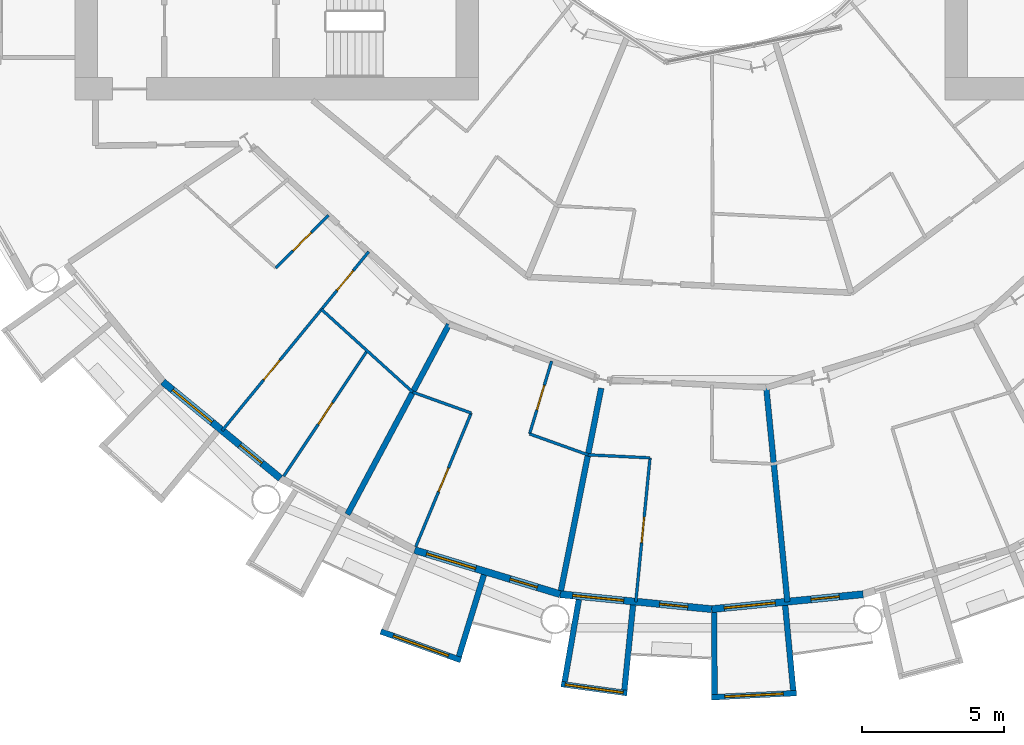
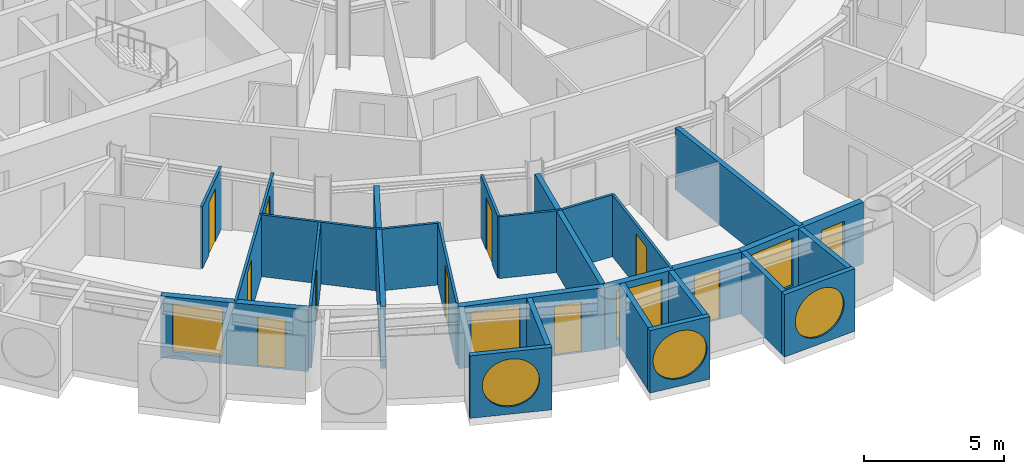
# One storey, part 13 of 26: 25 walls, 11 doors, 7 windows, 18 openings.
"""IFC4 building model written with IfcOpenShell, lengths in metres."""

from ifc_helpers import new_model, si_unit, direction, frame, frame_2d, origin, place, context, subcontext, project, spatial, rectangle, circle, extrude, material, layer, layer_set, type_object, element, fill, save


model = new_model("IFC4")

# Units and contexts
model_context = context("Model", 3, precision=1e-05, world=origin(), true_north=direction((0.0, 1.0)))
body_context = subcontext(model_context, "Body", "Model", "MODEL_VIEW")
ifc_project = project(units=[si_unit("LENGTHUNIT", "METRE"), si_unit("AREAUNIT", "SQUARE_METRE"), si_unit("VOLUMEUNIT", "CUBIC_METRE"), si_unit("PLANEANGLEUNIT", "RADIAN"), si_unit("MASSUNIT", "GRAM", prefix="KILO")], contexts=[model_context])

# Site, building, storey
site_placement = place(None, origin())
site = spatial("IfcSite", under=ifc_project, at=site_placement, CompositionType="ELEMENT")
building_placement = place(site_placement, origin())
building = spatial("IfcBuilding", under=site, at=building_placement, Name="Maasbend Ring Residences", CompositionType="ELEMENT")
storey_placement = place(building_placement, frame((0.0, 0.0, 44.14990234375)))
storey = spatial("IfcBuildingStorey", under=building, at=storey_placement, Name="L12", CompositionType="ELEMENT", Elevation=44.14990234375)

# Wall, opening, window
ifc_material_1 = material(Name="Pale anodised aluminium panel", Category="aluminium")
ifc_layer_1 = layer(ifc_material_1, 0.199951171875)
ifc_layer_set_1 = layer_set([ifc_layer_1], Name="EW-BOX")
wall_type_1 = type_object("IfcWallType", Name="EW-BOX", PredefinedType="SOLIDWALL", material=ifc_layer_set_1)
wall_1_placement = place(storey_placement, frame((-11.637939453125, -28.083984375, -0.02978515625), z_axis=(0.0, 0.0, 1.0), x_axis=(0.941461077774, -0.337121697664, 0.0)))
wall_1 = element("IfcWall", 1, at=wall_1_placement, inside=storey, type_object=wall_type_1, Name="Box front S07", PredefinedType="SOLIDWALL", context=body_context, shape_type="SweptSolid", body=[
    extrude(rectangle(XDim=2.9931640625, YDim=0.199951171875, at=frame_2d((1.49658203125, 0.0))), origin(), (0.0, 0.0, 1.0), 2.72998046875),
])
opening_1_placement = place(wall_1_placement, frame((0.45654296875, 0.0, 0.330078125)))
opening_1 = element("IfcOpeningElement", 2, at=opening_1_placement, cuts=wall_1, Name="Opening W-RD", PredefinedType="OPENING", context=body_context, shape_type="SweptSolid", body=[
    extrude(circle(Radius=1.0400390625, at=frame_2d((1.0400390625, 1.0400390625))), frame((0.0, 0.10986328125, 0.0), z_axis=(0.0, -1.0, 0.0), x_axis=(1.0, 0.0, 0.0)), (0.0, 0.0, 1.0), 0.219970703125),
])
ifc_material_2 = material(Name="Aluminium and clear glass", Category="aluminium")
window_type_1 = type_object("IfcWindowType", Name="W-RD", PartitioningType="SINGLE_PANEL", PredefinedType="WINDOW", material=ifc_material_2)
window_1_placement = place(opening_1_placement, origin())
window_1 = element("IfcWindow", 3, at=window_1_placement, inside=storey, type_object=window_type_1, Name="Round window S07", OverallHeight=2.080078125, OverallWidth=2.080078125, PartitioningType="SINGLE_PANEL", PredefinedType="WINDOW", context=body_context, shape_type="SweptSolid", body=[
    extrude(circle(Radius=1.0400390625, at=frame_2d((1.0400390625, 1.0400390625))), frame((0.0, 0.030029296875, 0.0), z_axis=(0.0, -1.0, 0.0), x_axis=(1.0, 0.0, 0.0)), (0.0, 0.0, 1.0), 0.06005859375),
])
fill(opening_1, window_1)

# Wall
wall_2_placement = place(storey_placement, frame((-8.009033203125, -26.092041015625, -0.02978515625), z_axis=(0.0, 0.0, 1.0), x_axis=(-0.293406695073, -0.955987715029, 0.0)))
element("IfcWall", 4, at=wall_2_placement, inside=storey, type_object=wall_type_1, Name="Box side wall S07 right", PredefinedType="SOLIDWALL", context=body_context, shape_type="SweptSolid", body=[
    extrude(rectangle(XDim=3.00634765625, YDim=0.199951171875, at=frame_2d((1.503173828125, 0.0))), origin(), (0.0, 0.0, 1.0), 2.72998046875),
])

# Wall, opening, window
wall_3_placement = place(storey_placement, frame((-5.2900390625, -29.93603515625, -0.02978515625), z_axis=(0.0, 0.0, 1.0), x_axis=(0.990696111261, -0.136092671119, 0.0)))
wall_3 = element("IfcWall", 5, at=wall_3_placement, inside=storey, type_object=wall_type_1, Name="Box front S09", PredefinedType="SOLIDWALL", context=body_context, shape_type="SweptSolid", body=[
    extrude(rectangle(XDim=2.335693359375, YDim=0.199951171875, at=frame_2d((1.16796875, 0.0))), origin(), (0.0, 0.0, 1.0), 2.72998046875),
])
opening_2_placement = place(wall_3_placement, frame((0.128173828125, 0.0, 0.330078125)))
opening_2 = element("IfcOpeningElement", 6, at=opening_2_placement, cuts=wall_3, Name="Opening W-RD", PredefinedType="OPENING", context=body_context, shape_type="SweptSolid", body=[
    extrude(circle(Radius=1.0400390625, at=frame_2d((1.0400390625, 1.0400390625))), frame((0.0, 0.10986328125, 0.0), z_axis=(0.0, -1.0, 0.0), x_axis=(1.0, 0.0, 0.0)), (0.0, 0.0, 1.0), 0.219970703125),
])
window_2_placement = place(opening_2_placement, origin())
window_2 = element("IfcWindow", 7, at=window_2_placement, inside=storey, type_object=window_type_1, Name="Round window S09", OverallHeight=2.080078125, OverallWidth=2.080078125, PartitioningType="SINGLE_PANEL", PredefinedType="WINDOW", context=body_context, shape_type="SweptSolid", body=[
    extrude(circle(Radius=1.0400390625, at=frame_2d((1.0400390625, 1.0400390625))), frame((0.0, 0.030029296875, 0.0), z_axis=(0.0, -1.0, 0.0), x_axis=(1.0, 0.0, 0.0)), (0.0, 0.0, 1.0), 0.06005859375),
])
fill(opening_2, window_2)

# Walls
wall_4_placement = place(storey_placement, frame((-4.6708984375, -26.966064453125, -0.02978515625), z_axis=(0.0, 0.0, 1.0), x_axis=(-0.170539878907, -0.985350774954, 0.0)))
element("IfcWall", 8, at=wall_4_placement, inside=storey, type_object=wall_type_1, Name="Box side wall S09 left", PredefinedType="SOLIDWALL", context=body_context, shape_type="SweptSolid", body=[
    extrude(rectangle(XDim=2.931884765625, YDim=0.199951171875, at=frame_2d((1.4658203125, 0.0))), origin(), (0.0, 0.0, 1.0), 2.72998046875),
])
wall_5_placement = place(storey_placement, frame((-2.763916015625, -27.153076171875, -0.02978515625), z_axis=(0.0, 0.0, 1.0), x_axis=(-0.101505487237, -0.994834979311, 0.0)))
element("IfcWall", 9, at=wall_5_placement, inside=storey, type_object=wall_type_1, Name="Box side wall S09 right", PredefinedType="SOLIDWALL", context=body_context, shape_type="SweptSolid", body=[
    extrude(rectangle(XDim=3.006591796875, YDim=0.199951171875, at=frame_2d((1.50341796875, 0.0))), origin(), (0.0, 0.0, 1.0), 2.72998046875),
])

# Wall, opening, window
wall_6_placement = place(storey_placement, frame((-0.0048828125, -30.39990234375, -0.02978515625), z_axis=(0.0, 0.0, 1.0), x_axis=(0.998794083011, 0.049095618353, 0.0)))
wall_6 = element("IfcWall", 10, at=wall_6_placement, inside=storey, type_object=wall_type_1, Name="Box front S11", PredefinedType="SOLIDWALL", context=body_context, shape_type="SweptSolid", body=[
    extrude(rectangle(XDim=2.99365234375, YDim=0.199951171875, at=frame_2d((1.496826171875, 0.0))), origin(), (0.0, 0.0, 1.0), 2.72998046875),
])
opening_3_placement = place(wall_6_placement, frame((0.45654296875, 0.0, 0.330078125)))
opening_3 = element("IfcOpeningElement", 11, at=opening_3_placement, cuts=wall_6, Name="Opening W-RD", PredefinedType="OPENING", context=body_context, shape_type="SweptSolid", body=[
    extrude(circle(Radius=1.0400390625, at=frame_2d((1.0400390625, 1.0400390625))), frame((0.0, 0.10986328125, 0.0), z_axis=(0.0, -1.0, 0.0), x_axis=(1.0, 0.0, 0.0)), (0.0, 0.0, 1.0), 0.219970703125),
])
window_3_placement = place(opening_3_placement, origin())
window_3 = element("IfcWindow", 12, at=window_3_placement, inside=storey, type_object=window_type_1, Name="Round window S11", OverallHeight=2.080078125, OverallWidth=2.080078125, PartitioningType="SINGLE_PANEL", PredefinedType="WINDOW", context=body_context, shape_type="SweptSolid", body=[
    extrude(circle(Radius=1.0400390625, at=frame_2d((1.0400390625, 1.0400390625))), frame((0.0, 0.030029296875, 0.0), z_axis=(0.0, -1.0, 0.0), x_axis=(1.0, 0.0, 0.0)), (0.0, 0.0, 1.0), 0.06005859375),
])
fill(opening_3, window_3)

# Walls
wall_7_placement = place(storey_placement, frame((0.090087890625, -27.4169921875, -0.02978515625), z_axis=(0.0, 0.0, 1.0), x_axis=(0.00347308367, -0.999993968827, 0.0)))
element("IfcWall", 13, at=wall_7_placement, inside=storey, type_object=wall_type_1, Name="Box side wall S11 left", PredefinedType="SOLIDWALL", context=body_context, shape_type="SweptSolid", body=[
    extrude(rectangle(XDim=2.882080078125, YDim=0.199951171875, at=frame_2d((1.44091796875, 0.0))), origin(), (0.0, 0.0, 1.0), 2.72998046875),
])
wall_8_placement = place(storey_placement, frame((2.5859375, -27.1708984375, -0.02978515625), z_axis=(0.0, 0.0, 1.0), x_axis=(0.094548432284, -0.995520262954, 0.0)))
element("IfcWall", 14, at=wall_8_placement, inside=storey, type_object=wall_type_1, Name="Box side wall S11 right", PredefinedType="SOLIDWALL", context=body_context, shape_type="SweptSolid", body=[
    extrude(rectangle(XDim=3.005615234375, YDim=0.199951171875, at=frame_2d((1.5029296875, 0.0))), origin(), (0.0, 0.0, 1.0), 2.72998046875),
])

# Wall, openings, door, window
ifc_material_3 = material(Name="Aluminium clad insulated panel", Category="aluminium")
ifc_layer_2 = layer(ifc_material_3, 0.25)
ifc_layer_set_2 = layer_set([ifc_layer_2], Name="EW-GL")
wall_type_2 = type_object("IfcWallType", Name="EW-GL", PredefinedType="SOLIDWALL", material=ifc_layer_set_2)
wall_9_placement = place(storey_placement, frame((-19.303955078125, -19.303955078125, 0.0), z_axis=(0.0, 0.0, 1.0), x_axis=(0.773019449054, -0.634382322723, 0.0)))
wall_9 = element("IfcWall", 15, at=wall_9_placement, inside=storey, type_object=wall_type_2, Name="External wall S02", PredefinedType="SOLIDWALL", context=body_context, shape_type="SweptSolid", body=[
    extrude(rectangle(XDim=5.351806640625, YDim=0.25, at=frame_2d((2.67578125, 0.0))), origin(), (0.0, 0.0, 1.0), 2.7001953125),
])
opening_4_placement = place(wall_9_placement, frame((0.441162109375, 0.0, 0.300048828125)))
opening_4 = element("IfcOpeningElement", 16, at=opening_4_placement, cuts=wall_9, Name="Opening W-BX", PredefinedType="OPENING", context=body_context, shape_type="SweptSolid", body=[
    extrude(rectangle(XDim=1.800048828125, YDim=2.10009765625, at=frame_2d((0.89990234375, 1.050048828125))), frame((0.0, 0.135009765625, 0.0), z_axis=(0.0, -1.0, 0.0), x_axis=(1.0, 0.0, 0.0)), (0.0, 0.0, 1.0), 0.27001953125),
])
opening_5_placement = place(wall_9_placement, frame((3.510498046875, 0.0, 0.0)))
opening_5 = element("IfcOpeningElement", 17, at=opening_5_placement, cuts=wall_9, Name="Opening D-LG", PredefinedType="OPENING", context=body_context, shape_type="SweptSolid", body=[
    extrude(rectangle(XDim=1.0, YDim=2.199951171875, at=frame_2d((0.5, 1.10009765625))), frame((0.0, 0.135009765625, 0.0), z_axis=(0.0, -1.0, 0.0), x_axis=(1.0, 0.0, 0.0)), (0.0, 0.0, 1.0), 0.27001953125),
])
ifc_material_4 = material(Name="Aluminium and clear glass", Category="aluminium")
door_type_1 = type_object("IfcDoorType", Name="D-LG", OperationType="SINGLE_SWING_LEFT", PredefinedType="DOOR", material=ifc_material_4)
door_1_placement = place(opening_5_placement, origin())
door_1 = element("IfcDoor", 18, at=door_1_placement, inside=storey, type_object=door_type_1, Name="Loggia door S04", OperationType="SINGLE_SWING_LEFT", OverallHeight=2.199951171875, OverallWidth=1.0, PredefinedType="DOOR", context=body_context, shape_type="SweptSolid", body=[
    extrude(rectangle(XDim=1.0, YDim=2.199951171875, at=frame_2d((0.5, 1.10009765625))), frame((0.0, 0.02490234375, 0.0), z_axis=(0.0, -1.0, 0.0), x_axis=(1.0, 0.0, 0.0)), (0.0, 0.0, 1.0), 0.050048828125),
])
fill(opening_5, door_1)
ifc_material_5 = material(Name="Aluminium and clear glass", Category="aluminium")
window_type_2 = type_object("IfcWindowType", Name="W-BX", PartitioningType="DOUBLE_PANEL_VERTICAL", PredefinedType="WINDOW", material=ifc_material_5)
window_4_placement = place(opening_4_placement, origin())
window_4 = element("IfcWindow", 19, at=window_4_placement, inside=storey, type_object=window_type_2, Name="Window S03 room to box", OverallHeight=2.10009765625, OverallWidth=1.800048828125, PartitioningType="SINGLE_PANEL", PredefinedType="WINDOW", context=body_context, shape_type="SweptSolid", body=[
    extrude(rectangle(XDim=1.800048828125, YDim=2.10009765625, at=frame_2d((0.89990234375, 1.050048828125))), frame((0.0, 0.030029296875, 0.0), z_axis=(0.0, -1.0, 0.0), x_axis=(1.0, 0.0, 0.0)), (0.0, 0.0, 1.0), 0.06005859375),
])
fill(opening_4, window_4)

wall_10_placement = place(storey_placement, frame((-10.447021484375, -25.221923828125, 0.0), z_axis=(0.0, 0.0, 1.0), x_axis=(0.956965678721, -0.290201119486, 0.0)))
wall_10 = element("IfcWall", 20, at=wall_10_placement, inside=storey, type_object=wall_type_2, Name="External wall S04", PredefinedType="SOLIDWALL", context=body_context, shape_type="SweptSolid", body=[
    extrude(rectangle(XDim=5.351318359375, YDim=0.25, at=frame_2d((2.67578125, 0.0))), origin(), (0.0, 0.0, 1.0), 2.7001953125),
])
opening_6_placement = place(wall_10_placement, frame((0.441162109375, 0.0, 0.300048828125)))
opening_6 = element("IfcOpeningElement", 21, at=opening_6_placement, cuts=wall_10, Name="Opening W-BX", PredefinedType="OPENING", context=body_context, shape_type="SweptSolid", body=[
    extrude(rectangle(XDim=1.800048828125, YDim=2.10009765625, at=frame_2d((0.89990234375, 1.050048828125))), frame((0.0, 0.135009765625, 0.0), z_axis=(0.0, -1.0, 0.0), x_axis=(1.0, 0.0, 0.0)), (0.0, 0.0, 1.0), 0.27001953125),
])
opening_7_placement = place(wall_10_placement, frame((3.510498046875, 0.0, 0.0)))
opening_7 = element("IfcOpeningElement", 22, at=opening_7_placement, cuts=wall_10, Name="Opening D-LG", PredefinedType="OPENING", context=body_context, shape_type="SweptSolid", body=[
    extrude(rectangle(XDim=1.0, YDim=2.199951171875, at=frame_2d((0.5, 1.10009765625))), frame((0.0, 0.135009765625, 0.0), z_axis=(0.0, -1.0, 0.0), x_axis=(1.0, 0.0, 0.0)), (0.0, 0.0, 1.0), 0.27001953125),
])
door_2_placement = place(opening_7_placement, origin())
door_2 = element("IfcDoor", 23, at=door_2_placement, inside=storey, type_object=door_type_1, Name="Loggia door S08", OperationType="SINGLE_SWING_LEFT", OverallHeight=2.199951171875, OverallWidth=1.0, PredefinedType="DOOR", context=body_context, shape_type="SweptSolid", body=[
    extrude(rectangle(XDim=1.0, YDim=2.199951171875, at=frame_2d((0.5, 1.10009765625))), frame((0.0, 0.02490234375, 0.0), z_axis=(0.0, -1.0, 0.0), x_axis=(1.0, 0.0, 0.0)), (0.0, 0.0, 1.0), 0.050048828125),
])
fill(opening_7, door_2)
window_5_placement = place(opening_6_placement, origin())
window_5 = element("IfcWindow", 24, at=window_5_placement, inside=storey, type_object=window_type_2, Name="Window S07 room to box", OverallHeight=2.10009765625, OverallWidth=1.800048828125, PartitioningType="SINGLE_PANEL", PredefinedType="WINDOW", context=body_context, shape_type="SweptSolid", body=[
    extrude(rectangle(XDim=1.800048828125, YDim=2.10009765625, at=frame_2d((0.89990234375, 1.050048828125))), frame((0.0, 0.030029296875, 0.0), z_axis=(0.0, -1.0, 0.0), x_axis=(1.0, 0.0, 0.0)), (0.0, 0.0, 1.0), 0.06005859375),
])
fill(opening_6, window_5)

wall_11_placement = place(storey_placement, frame((-5.325927734375, -26.77490234375, 0.0), z_axis=(0.0, 0.0, 1.0), x_axis=(0.995173996315, -0.098126026407, 0.0)))
wall_11 = element("IfcWall", 25, at=wall_11_placement, inside=storey, type_object=wall_type_2, Name="External wall S05", PredefinedType="SOLIDWALL", context=body_context, shape_type="SweptSolid", body=[
    extrude(rectangle(XDim=5.351806640625, YDim=0.25, at=frame_2d((2.67578125, 0.0))), origin(), (0.0, 0.0, 1.0), 2.7001953125),
])
opening_8_placement = place(wall_11_placement, frame((0.441162109375, 0.0, 0.300048828125)))
opening_8 = element("IfcOpeningElement", 26, at=opening_8_placement, cuts=wall_11, Name="Opening W-BX", PredefinedType="OPENING", context=body_context, shape_type="SweptSolid", body=[
    extrude(rectangle(XDim=1.800048828125, YDim=2.10009765625, at=frame_2d((0.89990234375, 1.050048828125))), frame((0.0, 0.135009765625, 0.0), z_axis=(0.0, -1.0, 0.0), x_axis=(1.0, 0.0, 0.0)), (0.0, 0.0, 1.0), 0.27001953125),
])
opening_9_placement = place(wall_11_placement, frame((3.510498046875, 0.0, 0.0)))
opening_9 = element("IfcOpeningElement", 27, at=opening_9_placement, cuts=wall_11, Name="Opening D-LG", PredefinedType="OPENING", context=body_context, shape_type="SweptSolid", body=[
    extrude(rectangle(XDim=1.0, YDim=2.199951171875, at=frame_2d((0.5, 1.10009765625))), frame((0.0, 0.135009765625, 0.0), z_axis=(0.0, -1.0, 0.0), x_axis=(1.0, 0.0, 0.0)), (0.0, 0.0, 1.0), 0.27001953125),
])
door_3_placement = place(opening_9_placement, origin())
door_3 = element("IfcDoor", 28, at=door_3_placement, inside=storey, type_object=door_type_1, Name="Loggia door S10", OperationType="SINGLE_SWING_LEFT", OverallHeight=2.199951171875, OverallWidth=1.0, PredefinedType="DOOR", context=body_context, shape_type="SweptSolid", body=[
    extrude(rectangle(XDim=1.0, YDim=2.199951171875, at=frame_2d((0.5, 1.10009765625))), frame((0.0, 0.02490234375, 0.0), z_axis=(0.0, -1.0, 0.0), x_axis=(1.0, 0.0, 0.0)), (0.0, 0.0, 1.0), 0.050048828125),
])
fill(opening_9, door_3)
window_6_placement = place(opening_8_placement, origin())
window_6 = element("IfcWindow", 29, at=window_6_placement, inside=storey, type_object=window_type_2, Name="Window S09 room to box", OverallHeight=2.10009765625, OverallWidth=1.800048828125, PartitioningType="SINGLE_PANEL", PredefinedType="WINDOW", context=body_context, shape_type="SweptSolid", body=[
    extrude(rectangle(XDim=1.800048828125, YDim=2.10009765625, at=frame_2d((0.89990234375, 1.050048828125))), frame((0.0, 0.030029296875, 0.0), z_axis=(0.0, -1.0, 0.0), x_axis=(1.0, 0.0, 0.0)), (0.0, 0.0, 1.0), 0.06005859375),
])
fill(opening_8, window_6)

wall_12_placement = place(storey_placement, frame((0.0, -27.300048828125, 0.0), z_axis=(0.0, 0.0, 1.0), x_axis=(0.995173996315, 0.098126026407, 0.0)))
wall_12 = element("IfcWall", 30, at=wall_12_placement, inside=storey, type_object=wall_type_2, Name="External wall S06", PredefinedType="SOLIDWALL", context=body_context, shape_type="SweptSolid", body=[
    extrude(rectangle(XDim=5.351806640625, YDim=0.25, at=frame_2d((2.67578125, 0.0))), origin(), (0.0, 0.0, 1.0), 2.7001953125),
])
opening_10_placement = place(wall_12_placement, frame((0.441162109375, 0.0, 0.300048828125)))
opening_10 = element("IfcOpeningElement", 31, at=opening_10_placement, cuts=wall_12, Name="Opening W-BX", PredefinedType="OPENING", context=body_context, shape_type="SweptSolid", body=[
    extrude(rectangle(XDim=1.800048828125, YDim=2.10009765625, at=frame_2d((0.89990234375, 1.050048828125))), frame((0.0, 0.135009765625, 0.0), z_axis=(0.0, -1.0, 0.0), x_axis=(1.0, 0.0, 0.0)), (0.0, 0.0, 1.0), 0.27001953125),
])
opening_11_placement = place(wall_12_placement, frame((3.510498046875, 0.0, 0.0)))
opening_11 = element("IfcOpeningElement", 32, at=opening_11_placement, cuts=wall_12, Name="Opening D-LG", PredefinedType="OPENING", context=body_context, shape_type="SweptSolid", body=[
    extrude(rectangle(XDim=1.0, YDim=2.199951171875, at=frame_2d((0.5, 1.10009765625))), frame((0.0, 0.135009765625, 0.0), z_axis=(0.0, -1.0, 0.0), x_axis=(1.0, 0.0, 0.0)), (0.0, 0.0, 1.0), 0.27001953125),
])
door_4_placement = place(opening_11_placement, origin())
door_4 = element("IfcDoor", 33, at=door_4_placement, inside=storey, type_object=door_type_1, Name="Loggia door S12", OperationType="SINGLE_SWING_LEFT", OverallHeight=2.199951171875, OverallWidth=1.0, PredefinedType="DOOR", context=body_context, shape_type="SweptSolid", body=[
    extrude(rectangle(XDim=1.0, YDim=2.199951171875, at=frame_2d((0.5, 1.10009765625))), frame((0.0, 0.02490234375, 0.0), z_axis=(0.0, -1.0, 0.0), x_axis=(1.0, 0.0, 0.0)), (0.0, 0.0, 1.0), 0.050048828125),
])
fill(opening_11, door_4)
window_7_placement = place(opening_10_placement, origin())
window_7 = element("IfcWindow", 34, at=window_7_placement, inside=storey, type_object=window_type_2, Name="Window S11 room to box", OverallHeight=2.10009765625, OverallWidth=1.800048828125, PartitioningType="SINGLE_PANEL", PredefinedType="WINDOW", context=body_context, shape_type="SweptSolid", body=[
    extrude(rectangle(XDim=1.800048828125, YDim=2.10009765625, at=frame_2d((0.89990234375, 1.050048828125))), frame((0.0, 0.030029296875, 0.0), z_axis=(0.0, -1.0, 0.0), x_axis=(1.0, 0.0, 0.0)), (0.0, 0.0, 1.0), 0.06005859375),
])
fill(opening_10, window_7)

# Walls
ifc_material_6 = material(Name="Gypsum board on steel studs", Category="steel")
ifc_layer_3 = layer(ifc_material_6, 0.10009765625)
ifc_layer_set_3 = layer_set([ifc_layer_3], Name="PARTITION 100 GYPSUM")
wall_type_3 = type_object("IfcWallType", Name="PARTITION 100 GYPSUM", PredefinedType="PARTITIONING", material=ifc_layer_set_3)
wall_13_placement = place(storey_placement, frame((-10.511962890625, -19.6669921875, 0.0), z_axis=(0.0, 0.0, 1.0), x_axis=(0.94151635689, -0.336967282847, 0.0)))
element("IfcWall", 35, at=wall_13_placement, inside=storey, type_object=wall_type_3, Name="U-L12-w001", PredefinedType="PARTITIONING", context=body_context, shape_type="SweptSolid", body=[
    extrude(rectangle(XDim=2.181640625, YDim=0.10009765625, at=frame_2d((1.0908203125, 0.0))), origin(), (0.0, 0.0, 1.0), 2.7001953125),
])
wall_14_placement = place(storey_placement, frame((-6.40087890625, -21.137939453125, 0.0), z_axis=(0.0, 0.0, 1.0), x_axis=(0.941465495635, -0.337109359895, 0.0)))
element("IfcWall", 36, at=wall_14_placement, inside=storey, type_object=wall_type_3, Name="U-L12-w002", PredefinedType="PARTITIONING", context=body_context, shape_type="SweptSolid", body=[
    extrude(rectangle(XDim=2.1806640625, YDim=0.10009765625, at=frame_2d((1.09033203125, 0.0))), origin(), (0.0, 0.0, 1.0), 2.7001953125),
])
wall_15_placement = place(storey_placement, frame((-4.35107421875, -21.8720703125, 0.0), z_axis=(0.0, 0.0, 1.0), x_axis=(0.998797962079, -0.049016639484, 0.0)))
element("IfcWall", 37, at=wall_15_placement, inside=storey, type_object=wall_type_3, Name="U-L12-w003", PredefinedType="PARTITIONING", context=body_context, shape_type="SweptSolid", body=[
    extrude(rectangle(XDim=2.181640625, YDim=0.10009765625, at=frame_2d((1.0908203125, 0.0))), origin(), (0.0, 0.0, 1.0), 2.7001953125),
])
wall_16_placement = place(storey_placement, frame((-13.72705078125, -16.75390625, 0.0), z_axis=(0.0, 0.0, 1.0), x_axis=(0.740840803797, -0.671680655839, 0.0)))
element("IfcWall", 38, at=wall_16_placement, inside=storey, type_object=wall_type_3, Name="U-L12-w010", PredefinedType="PARTITIONING", context=body_context, shape_type="SweptSolid", body=[
    extrude(rectangle(XDim=4.33837890625, YDim=0.10009765625, at=frame_2d((2.169189453125, 0.0))), origin(), (0.0, 0.0, 1.0), 2.7001953125),
])

# Wall, openings, doors
wall_17_placement = place(storey_placement, frame((-17.219970703125, -21.02197265625, 0.0), z_axis=(0.0, 0.0, 1.0), x_axis=(0.633794691983, 0.773501317655, 0.0)))
wall_17 = element("IfcWall", 39, at=wall_17_placement, inside=storey, type_object=wall_type_3, Name="U-L12-w036", PredefinedType="PARTITIONING", context=body_context, shape_type="SweptSolid", body=[
    extrude(rectangle(XDim=8.13818359375, YDim=0.10009765625, at=frame_2d((4.069091796875, 0.0))), origin(), (0.0, 0.0, 1.0), 2.7001953125),
])
opening_12_placement = place(wall_17_placement, frame((6.376953125, 0.0, 0.0)))
opening_12 = element("IfcOpeningElement", 40, at=opening_12_placement, cuts=wall_17, Name="Opening D-1238", PredefinedType="OPENING", context=body_context, shape_type="SweptSolid", body=[
    extrude(rectangle(XDim=0.89990234375, YDim=2.300048828125, at=frame_2d((0.449951171875, 1.14990234375))), frame((0.0, 0.06005859375, 0.0), z_axis=(0.0, -1.0, 0.0), x_axis=(1.0, 0.0, 0.0)), (0.0, 0.0, 1.0), 0.1201171875),
])
opening_13_placement = place(wall_17_placement, frame((2.305908203125, 0.0, 0.0)))
opening_13 = element("IfcOpeningElement", 41, at=opening_13_placement, cuts=wall_17, Name="Opening D-1239", PredefinedType="OPENING", context=body_context, shape_type="SweptSolid", body=[
    extrude(rectangle(XDim=0.89990234375, YDim=2.300048828125, at=frame_2d((0.449951171875, 1.14990234375))), frame((0.0, 0.06005859375, 0.0), z_axis=(0.0, -1.0, 0.0), x_axis=(1.0, 0.0, 0.0)), (0.0, 0.0, 1.0), 0.1201171875),
])
ifc_material_7 = material(Name="Timber, painted", Category="wood")
door_type_2 = type_object("IfcDoorType", Name="INTERNAL DOOR 900 X 2300", OperationType="NOTDEFINED", PredefinedType="DOOR", material=ifc_material_7)
door_5_placement = place(opening_12_placement, origin())
door_5 = element("IfcDoor", 42, at=door_5_placement, inside=storey, type_object=door_type_2, Name="D-1238", OperationType="SINGLE_SWING_RIGHT", OverallHeight=2.300048828125, OverallWidth=0.89990234375, PredefinedType="DOOR", context=body_context, shape_type="SweptSolid", body=[
    extrude(rectangle(XDim=0.89990234375, YDim=2.300048828125, at=frame_2d((0.449951171875, 1.14990234375))), frame((0.0, 0.02490234375, 0.0), z_axis=(0.0, -1.0, 0.0), x_axis=(1.0, 0.0, 0.0)), (0.0, 0.0, 1.0), 0.050048828125),
])
fill(opening_12, door_5)
door_6_placement = place(opening_13_placement, origin())
door_6 = element("IfcDoor", 43, at=door_6_placement, inside=storey, type_object=door_type_2, Name="D-1239", OperationType="SINGLE_SWING_LEFT", OverallHeight=2.300048828125, OverallWidth=0.89990234375, PredefinedType="DOOR", context=body_context, shape_type="SweptSolid", body=[
    extrude(rectangle(XDim=0.89990234375, YDim=2.300048828125, at=frame_2d((0.449951171875, 1.14990234375))), frame((0.0, 0.02490234375, 0.0), z_axis=(0.0, -1.0, 0.0), x_axis=(1.0, 0.0, 0.0)), (0.0, 0.0, 1.0), 0.050048828125),
])
fill(opening_13, door_6)

# Wall, opening, door
wall_18_placement = place(storey_placement, frame((-15.330078125, -15.300048828125, 0.0), z_axis=(0.0, 0.0, 1.0), x_axis=(0.707851299421, 0.706361478217, 0.0)))
wall_18 = element("IfcWall", 44, at=wall_18_placement, inside=storey, type_object=wall_type_3, Name="U-L12-w039", PredefinedType="PARTITIONING", context=body_context, shape_type="SweptSolid", body=[
    extrude(rectangle(XDim=2.6220703125, YDim=0.10009765625, at=frame_2d((1.31103515625, 0.0))), origin(), (0.0, 0.0, 1.0), 2.7001953125),
])
opening_14_placement = place(wall_18_placement, frame((0.861083984375, 0.0, 0.0)))
opening_14 = element("IfcOpeningElement", 45, at=opening_14_placement, cuts=wall_18, Name="Opening D-1237", PredefinedType="OPENING", context=body_context, shape_type="SweptSolid", body=[
    extrude(rectangle(XDim=0.89990234375, YDim=2.300048828125, at=frame_2d((0.449951171875, 1.14990234375))), frame((0.0, 0.06005859375, 0.0), z_axis=(0.0, -1.0, 0.0), x_axis=(1.0, 0.0, 0.0)), (0.0, 0.0, 1.0), 0.1201171875),
])
door_7_placement = place(opening_14_placement, origin())
door_7 = element("IfcDoor", 46, at=door_7_placement, inside=storey, type_object=door_type_2, Name="D-1237", OperationType="SINGLE_SWING_RIGHT", OverallHeight=2.300048828125, OverallWidth=0.89990234375, PredefinedType="DOOR", context=body_context, shape_type="SweptSolid", body=[
    extrude(rectangle(XDim=0.89990234375, YDim=2.300048828125, at=frame_2d((0.449951171875, 1.14990234375))), frame((0.0, 0.02490234375, 0.0), z_axis=(0.0, -1.0, 0.0), x_axis=(1.0, 0.0, 0.0)), (0.0, 0.0, 1.0), 0.050048828125),
])
fill(opening_14, door_7)

wall_19_placement = place(storey_placement, frame((-15.053955078125, -22.6240234375, 0.0), z_axis=(0.0, 0.0, 1.0), x_axis=(0.553913391217, 0.832574294, 0.0)))
wall_19 = element("IfcWall", 47, at=wall_19_placement, inside=storey, type_object=wall_type_3, Name="U-L12-w041", PredefinedType="PARTITIONING", context=body_context, shape_type="SweptSolid", body=[
    extrude(rectangle(XDim=5.300537109375, YDim=0.10009765625, at=frame_2d((2.650390625, 0.0))), origin(), (0.0, 0.0, 1.0), 2.7001953125),
])
opening_15_placement = place(wall_19_placement, frame((2.199951171875, 0.0, 0.0)))
opening_15 = element("IfcOpeningElement", 48, at=opening_15_placement, cuts=wall_19, Name="Opening D-1240", PredefinedType="OPENING", context=body_context, shape_type="SweptSolid", body=[
    extrude(rectangle(XDim=0.89990234375, YDim=2.300048828125, at=frame_2d((0.449951171875, 1.14990234375))), frame((0.0, 0.06005859375, 0.0), z_axis=(0.0, -1.0, 0.0), x_axis=(1.0, 0.0, 0.0)), (0.0, 0.0, 1.0), 0.1201171875),
])
door_8_placement = place(opening_15_placement, origin())
door_8 = element("IfcDoor", 49, at=door_8_placement, inside=storey, type_object=door_type_2, Name="D-1240", OperationType="SINGLE_SWING_RIGHT", OverallHeight=2.300048828125, OverallWidth=0.89990234375, PredefinedType="DOOR", context=body_context, shape_type="SweptSolid", body=[
    extrude(rectangle(XDim=0.89990234375, YDim=2.300048828125, at=frame_2d((0.449951171875, 1.14990234375))), frame((0.0, 0.02490234375, 0.0), z_axis=(0.0, -1.0, 0.0), x_axis=(1.0, 0.0, 0.0)), (0.0, 0.0, 1.0), 0.050048828125),
])
fill(opening_15, door_8)

wall_20_placement = place(storey_placement, frame((-10.406982421875, -25.10302734375, 0.0), z_axis=(0.0, 0.0, 1.0), x_axis=(0.382983071721, 0.923755360891, 0.0)))
wall_20 = element("IfcWall", 50, at=wall_20_placement, inside=storey, type_object=wall_type_3, Name="U-L12-w045", PredefinedType="PARTITIONING", context=body_context, shape_type="SweptSolid", body=[
    extrude(rectangle(XDim=5.0888671875, YDim=0.10009765625, at=frame_2d((2.54443359375, 0.0))), origin(), (0.0, 0.0, 1.0), 2.7001953125),
])
opening_16_placement = place(wall_20_placement, frame((2.094970703125, 0.0, 0.0)))
opening_16 = element("IfcOpeningElement", 51, at=opening_16_placement, cuts=wall_20, Name="Opening D-1243", PredefinedType="OPENING", context=body_context, shape_type="SweptSolid", body=[
    extrude(rectangle(XDim=0.89990234375, YDim=2.300048828125, at=frame_2d((0.449951171875, 1.14990234375))), frame((0.0, 0.06005859375, 0.0), z_axis=(0.0, -1.0, 0.0), x_axis=(1.0, 0.0, 0.0)), (0.0, 0.0, 1.0), 0.1201171875),
])
door_9_placement = place(opening_16_placement, origin())
door_9 = element("IfcDoor", 52, at=door_9_placement, inside=storey, type_object=door_type_2, Name="D-1243", OperationType="SINGLE_SWING_RIGHT", OverallHeight=2.300048828125, OverallWidth=0.89990234375, PredefinedType="DOOR", context=body_context, shape_type="SweptSolid", body=[
    extrude(rectangle(XDim=0.89990234375, YDim=2.300048828125, at=frame_2d((0.449951171875, 1.14990234375))), frame((0.0, 0.02490234375, 0.0), z_axis=(0.0, -1.0, 0.0), x_axis=(1.0, 0.0, 0.0)), (0.0, 0.0, 1.0), 0.050048828125),
])
fill(opening_16, door_9)

wall_21_placement = place(storey_placement, frame((-6.404052734375, -21.136962890625, 0.0), z_axis=(0.0, 0.0, 1.0), x_axis=(0.289792063283, 0.957089630107, 0.0)))
wall_21 = element("IfcWall", 53, at=wall_21_placement, inside=storey, type_object=wall_type_3, Name="U-L12-w055", PredefinedType="PARTITIONING", context=body_context, shape_type="SweptSolid", body=[
    extrude(rectangle(XDim=2.6748046875, YDim=0.10009765625, at=frame_2d((1.33740234375, 0.0))), origin(), (0.0, 0.0, 1.0), 2.7001953125),
])
opening_17_placement = place(wall_21_placement, frame((0.886962890625, 0.0, 0.0)))
opening_17 = element("IfcOpeningElement", 54, at=opening_17_placement, cuts=wall_21, Name="Opening D-1242", PredefinedType="OPENING", context=body_context, shape_type="SweptSolid", body=[
    extrude(rectangle(XDim=0.89990234375, YDim=2.300048828125, at=frame_2d((0.449951171875, 1.14990234375))), frame((0.0, 0.06005859375, 0.0), z_axis=(0.0, -1.0, 0.0), x_axis=(1.0, 0.0, 0.0)), (0.0, 0.0, 1.0), 0.1201171875),
])
door_10_placement = place(opening_17_placement, origin())
door_10 = element("IfcDoor", 55, at=door_10_placement, inside=storey, type_object=door_type_2, Name="D-1242", OperationType="SINGLE_SWING_RIGHT", OverallHeight=2.300048828125, OverallWidth=0.89990234375, PredefinedType="DOOR", context=body_context, shape_type="SweptSolid", body=[
    extrude(rectangle(XDim=0.89990234375, YDim=2.300048828125, at=frame_2d((0.449951171875, 1.14990234375))), frame((0.0, 0.02490234375, 0.0), z_axis=(0.0, -1.0, 0.0), x_axis=(1.0, 0.0, 0.0)), (0.0, 0.0, 1.0), 0.050048828125),
])
fill(opening_17, door_10)

wall_22_placement = place(storey_placement, frame((-2.66796875, -27.04296875, 0.0), z_axis=(0.0, 0.0, 1.0), x_axis=(0.098259061871, 0.99516086979, 0.0)))
wall_22 = element("IfcWall", 56, at=wall_22_placement, inside=storey, type_object=wall_type_3, Name="U-L12-w061", PredefinedType="PARTITIONING", context=body_context, shape_type="SweptSolid", body=[
    extrude(rectangle(XDim=5.088623046875, YDim=0.10009765625, at=frame_2d((2.54443359375, 0.0))), origin(), (0.0, 0.0, 1.0), 2.7001953125),
])
opening_18_placement = place(wall_22_placement, frame((2.093994140625, 0.0, 0.0)))
opening_18 = element("IfcOpeningElement", 57, at=opening_18_placement, cuts=wall_22, Name="Opening D-1246", PredefinedType="OPENING", context=body_context, shape_type="SweptSolid", body=[
    extrude(rectangle(XDim=0.89990234375, YDim=2.300048828125, at=frame_2d((0.449951171875, 1.14990234375))), frame((0.0, 0.06005859375, 0.0), z_axis=(0.0, -1.0, 0.0), x_axis=(1.0, 0.0, 0.0)), (0.0, 0.0, 1.0), 0.1201171875),
])
door_11_placement = place(opening_18_placement, origin())
door_11 = element("IfcDoor", 58, at=door_11_placement, inside=storey, type_object=door_type_2, Name="D-1246", OperationType="SINGLE_SWING_LEFT", OverallHeight=2.300048828125, OverallWidth=0.89990234375, PredefinedType="DOOR", context=body_context, shape_type="SweptSolid", body=[
    extrude(rectangle(XDim=0.89990234375, YDim=2.300048828125, at=frame_2d((0.449951171875, 1.14990234375))), frame((0.0, 0.02490234375, 0.0), z_axis=(0.0, -1.0, 0.0), x_axis=(1.0, 0.0, 0.0)), (0.0, 0.0, 1.0), 0.050048828125),
])
fill(opening_18, door_11)

# Walls
ifc_material_8 = material(Name="Concrete C30/37", Category="concrete")
ifc_layer_4 = layer(ifc_material_8, 0.199951171875)
ifc_layer_set_4 = layer_set([ifc_layer_4], Name="Concrete C30/37")
wall_type_4 = type_object("IfcWallType", Name="PARTY WALL 200 CONCRETE", PredefinedType="PARTITIONING", material=ifc_layer_set_4)
wall_23_placement = place(storey_placement, frame((-12.81005859375, -23.966064453125, 0.0), z_axis=(0.0, 0.0, 1.0), x_axis=(0.471439510802, 0.881898399848, 0.0)))
element("IfcWall", 59, at=wall_23_placement, inside=storey, type_object=wall_type_4, Name="U-L12-w042", PredefinedType="PARTITIONING", context=body_context, shape_type="SweptSolid", body=[
    extrude(rectangle(XDim=7.57470703125, YDim=0.199951171875, at=frame_2d((3.787353515625, 0.0))), origin(), (0.0, 0.0, 1.0), 2.7001953125),
])
wall_24_placement = place(storey_placement, frame((-5.301025390625, -26.653076171875, 0.0), z_axis=(0.0, 0.0, 1.0), x_axis=(0.195056101659, 0.980792086635, 0.0)))
element("IfcWall", 60, at=wall_24_placement, inside=storey, type_object=wall_type_4, Name="U-L12-w056", PredefinedType="PARTITIONING", context=body_context, shape_type="SweptSolid", body=[
    extrude(rectangle(XDim=7.2646484375, YDim=0.199951171875, at=frame_2d((3.63232421875, 0.0))), origin(), (0.0, 0.0, 1.0), 2.7001953125),
])
wall_25_placement = place(storey_placement, frame((1.9208984375, -19.506103515625, 0.0), z_axis=(0.0, 0.0, 1.0), x_axis=(0.098115395479, -0.995175044487, 0.0)))
element("IfcWall", 61, at=wall_25_placement, inside=storey, type_object=wall_type_4, Name="U-L12-w066", PredefinedType="PARTITIONING", context=body_context, shape_type="SweptSolid", body=[
    extrude(rectangle(XDim=7.574462890625, YDim=0.199951171875, at=frame_2d((3.787109375, 0.0))), origin(), (0.0, 0.0, 1.0), 2.7001953125),
])

save(model, "model.ifc")
